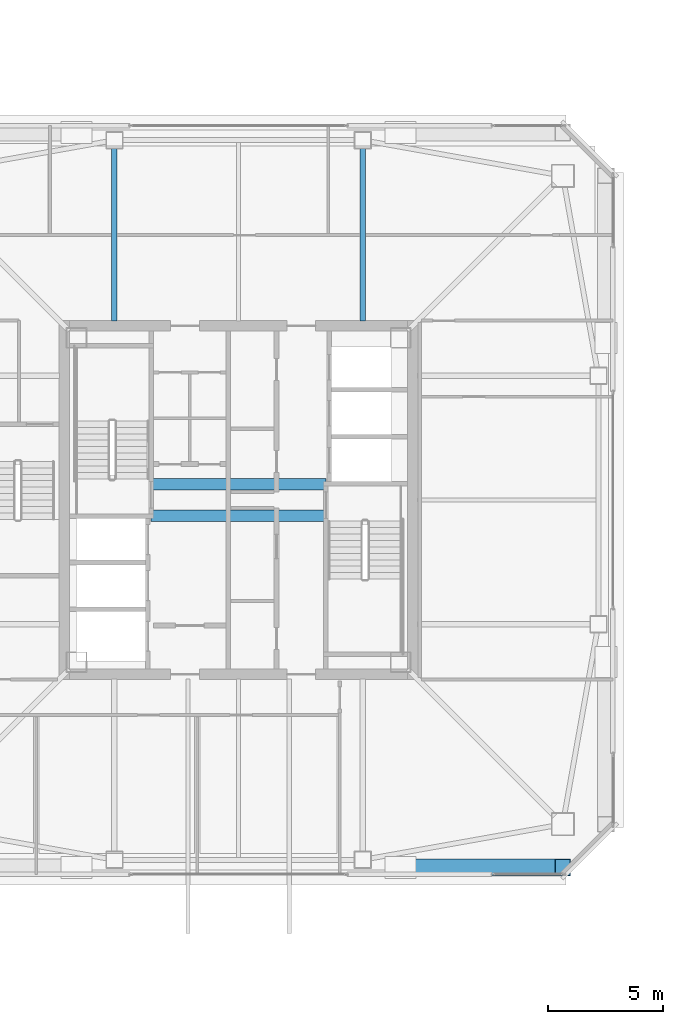
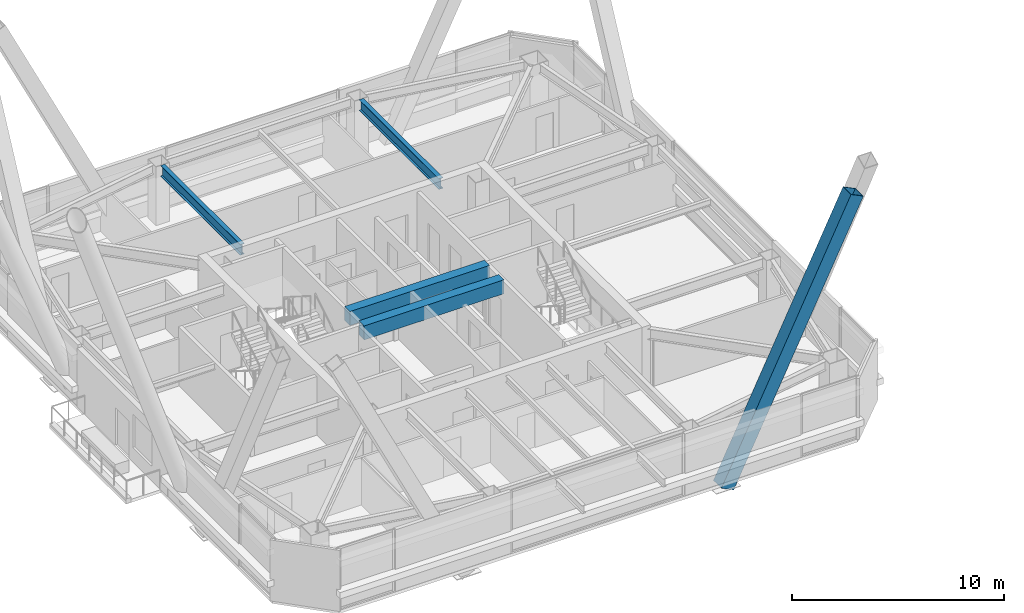
# One storey, part 12 of 56: 4 beams, 1 member.
"""IFC4 building model written with IfcOpenShell, lengths in metres."""

import ifcopenshell
import ifcopenshell.guid

model = None  # the IFC model being written
_history = None  # IfcOwnerHistory: only IFC2X3 demands one
_inside = {}  # id of a spatial element -> (the spatial element, [elements in it])
_under = {}  # id of a project, library or spatial element -> (it, [spatial elements below it])
_declared = {}  # id of a project -> (the project, [libraries it declares])
_typed = {}  # id of a type object -> (the type object, [elements of that type])
_made_of = {}  # id of a material, layer set ... -> (it, [elements and type objects made of it])


def new_model(schema):
    """Start an empty IFC model of exactly this schema.

    Asked for "IFC4X3", IfcOpenShell would pick the latest addendum, in which some entities
    have other attributes; the version numbers below select the first issue.
    IFC2X3 requires an IfcOwnerHistory on every rooted entity: one is made here for all.
    """
    global model, _history
    if schema == "IFC4X3":
        model = ifcopenshell.file(schema_version=(4, 3, 0, 0))
    else:
        model = ifcopenshell.file(schema=schema)
    _inside.clear()
    _under.clear()
    _declared.clear()
    _typed.clear()
    _made_of.clear()
    _history = None
    if model.schema == "IFC2X3":
        org = make("IfcOrganization", Name="unknown")
        user = make(
            "IfcPersonAndOrganization",
            ThePerson=make("IfcPerson", FamilyName="unknown"),
            TheOrganization=org,
        )
        app = make(
            "IfcApplication",
            ApplicationDeveloper=org,
            Version="unknown",
            ApplicationFullName="unknown",
            ApplicationIdentifier="unknown",
        )
        _history = make(
            "IfcOwnerHistory",
            OwningUser=user,
            OwningApplication=app,
            ChangeAction="ADDED",
            CreationDate=0,
        )
    return model


def make(cls, **values):
    """One entity of the class cls with the attributes given. An attribute that is None is left unset."""
    return model.create_entity(
        cls, **{name: value for name, value in values.items() if value is not None}
    )


def rooted(cls, **values):
    """An entity with a GlobalId (a new one), such as an element, a storey or a relation."""
    return make(cls, GlobalId=ifcopenshell.guid.new(), OwnerHistory=_history, **values)


def si_unit(unit_type, name, prefix=None):
    """IfcSIUnit, for example si_unit("LENGTHUNIT", "METRE", prefix="MILLI")."""
    return make("IfcSIUnit", UnitType=unit_type, Prefix=prefix, Name=name)


def assignment(units):
    """IfcUnitAssignment: the units of a project."""
    return None if units is None else make("IfcUnitAssignment", Units=units)


def point(xyz):
    """IfcCartesianPoint."""
    return None if xyz is None else make("IfcCartesianPoint", Coordinates=xyz)


def direction(xyz):
    """IfcDirection."""
    return None if xyz is None else make("IfcDirection", DirectionRatios=xyz)


def frame(location, z_axis=None, x_axis=None):
    """IfcAxis2Placement3D, a coordinate frame: its origin and axes. An axis left out is left unset."""
    return make(
        "IfcAxis2Placement3D",
        Location=point(location),
        Axis=direction(z_axis),
        RefDirection=direction(x_axis),
    )


def frame_2d(location, x_axis=None):
    """IfcAxis2Placement2D, a coordinate frame in the plane: its origin and x axis."""
    return make(
        "IfcAxis2Placement2D", Location=point(location), RefDirection=direction(x_axis)
    )


def origin():
    """The frame at (0, 0, 0) with its axes left unset."""
    return frame((0.0, 0.0, 0.0))


def origin_2d():
    """The frame at (0, 0) in the plane with its x axis left unset."""
    return frame_2d((0.0, 0.0))


def place(relative_to, where):
    """IfcLocalPlacement: puts the frame where relative to a parent placement (None: the world)."""
    return make(
        "IfcLocalPlacement", PlacementRelTo=relative_to, RelativePlacement=where
    )


def context(
    kind, dimensions, precision=None, world=None, true_north=None, identifier=None
):
    """IfcGeometricRepresentationContext, for example the 3D "Model" context."""
    return make(
        "IfcGeometricRepresentationContext",
        ContextIdentifier=identifier,
        ContextType=kind,
        CoordinateSpaceDimension=dimensions,
        Precision=precision,
        WorldCoordinateSystem=world,
        TrueNorth=true_north,
    )


def subcontext(parent, identifier, kind, view, scale=None):
    """IfcGeometricRepresentationSubContext, for example "Body" below "Model"."""
    return make(
        "IfcGeometricRepresentationSubContext",
        ContextIdentifier=identifier,
        ContextType=kind,
        ParentContext=parent,
        TargetScale=scale,
        TargetView=view,
    )


def project(units=None, contexts=None):
    """IfcProject with its units and contexts."""
    return rooted(
        "IfcProject",
        Name="project",
        RepresentationContexts=contexts,
        UnitsInContext=assignment(units),
    )


def spatial(cls, under=None, at=None, **own):
    """A site, building, storey or space (cls), placed at a placement, below another one or the project."""
    s = rooted(cls, ObjectPlacement=at, **own)
    if under is not None:
        _under.setdefault(under.id(), (under, []))[1].append(s)
    return s


def profile(cls, at=None, kind="AREA", **sizes):
    """A parametric profile (cls). Its sizes go by their IFC names, for example OverallWidth=200.0."""
    return make(cls, ProfileType=kind, Position=at, **sizes)


def rectangle(**sizes):
    """IfcRectangleProfileDef."""
    return profile("IfcRectangleProfileDef", **sizes)


def hollow_rectangle(**sizes):
    """IfcRectangleHollowProfileDef."""
    return profile("IfcRectangleHollowProfileDef", **sizes)


def i_section(**sizes):
    """IfcIShapeProfileDef."""
    return profile("IfcIShapeProfileDef", **sizes)


def extrude(swept, where, along, depth):
    """IfcExtrudedAreaSolid: the profile swept, set in the frame where, extruded along a direction by depth."""
    return make(
        "IfcExtrudedAreaSolid",
        SweptArea=swept,
        Position=where,
        ExtrudedDirection=direction(along),
        Depth=depth,
    )


def shape(context_of_items, identifier, shape_type, items):
    """IfcShapeRepresentation: the items that make up one representation, for example the "Body"."""
    return make(
        "IfcShapeRepresentation",
        ContextOfItems=context_of_items,
        RepresentationIdentifier=identifier,
        RepresentationType=shape_type,
        Items=items,
    )


def material(Name=None, Category=None):
    """IfcMaterial."""
    return make("IfcMaterial", Name=Name, Category=Category)


def material_profile(
    of_material, cross_section, Name=None, Category=None, Priority=None
):
    """IfcMaterialProfile: a cross section and its material."""
    return make(
        "IfcMaterialProfile",
        Name=Name,
        Material=of_material,
        Profile=cross_section,
        Priority=Priority,
        Category=Category,
    )


def profile_set(profiles, Name=None, composite=None):
    """IfcMaterialProfileSet."""
    return make(
        "IfcMaterialProfileSet",
        Name=Name,
        MaterialProfiles=profiles,
        CompositeProfile=composite,
    )


def made_of(thing, what):
    """Note that an element or type object is made of a material, layer set ...; save() writes the relation."""
    if what is not None:
        _made_of.setdefault(what.id(), (what, []))[1].append(thing)
    return thing


def type_object(cls, material=None, **own):
    """A type object (cls), such as IfcWallType, which elements share."""
    return made_of(rooted(cls, **own), material)


def element(
    cls,
    number,
    at=None,
    inside=None,
    cuts=None,
    type_object=None,
    material=None,
    context=None,
    identifier="Body",
    shape_type=None,
    held_by="IfcProductDefinitionShape",
    body=None,
    shapes=None,
    **own,
):
    """One element of the class cls, such as IfcWall. Its Tag is "e" and its number.

    at: its placement. inside: the storey or other place that contains it. cuts: it is an
    opening in that element (IfcRelVoidsElement). A single representation is given by context,
    identifier, shape_type and body (its items); several are given by shapes. held_by: the class
    of the entity that holds the representations. save() writes the other relations.
    """
    e = rooted(cls, Tag="e%d" % number, ObjectPlacement=at, **own)
    if body is not None:
        shapes = [shape(context, identifier, shape_type, body)]
    if shapes is not None:
        e.Representation = make(held_by, Representations=shapes)
    if inside is not None:
        _inside.setdefault(inside.id(), (inside, []))[1].append(e)
    if cuts is not None:
        rooted(
            "IfcRelVoidsElement", RelatingBuildingElement=cuts, RelatedOpeningElement=e
        )
    if type_object is not None:
        _typed.setdefault(type_object.id(), (type_object, []))[1].append(e)
    return made_of(e, material)


def aggregate(whole, parts):
    """IfcRelAggregates: a whole, such as a stair, and the parts it consists of."""
    return rooted("IfcRelAggregates", RelatingObject=whole, RelatedObjects=parts)


def save(model, path):
    """Write the relations noted so far, then the file.

    IfcRelAggregates (storeys below a building ...), IfcRelContainedInSpatialStructure (elements
    in a storey), IfcRelDefinesByType, IfcRelAssociatesMaterial and IfcRelDeclares: one each for
    every whole, place, type object, material and project.
    """
    for whole, parts in _under.values():
        aggregate(whole, parts)
    for where, things in _inside.values():
        rooted(
            "IfcRelContainedInSpatialStructure",
            RelatedElements=things,
            RelatingStructure=where,
        )
    for kind, things in _typed.values():
        rooted("IfcRelDefinesByType", RelatedObjects=things, RelatingType=kind)
    for what, things in _made_of.values():
        rooted("IfcRelAssociatesMaterial", RelatedObjects=things, RelatingMaterial=what)
    for by, libraries in _declared.values():
        rooted("IfcRelDeclares", RelatingContext=by, RelatedDefinitions=libraries)
    model.write(path)


model = new_model("IFC4")

# Units and contexts
model_context = context("Model", 3, precision=1e-05, world=origin(), true_north=direction((0.0, 1.0)))
body_context = subcontext(model_context, "Body", "Model", "MODEL_VIEW")
ifc_project = project(units=[si_unit("LENGTHUNIT", "METRE"), si_unit("AREAUNIT", "SQUARE_METRE"), si_unit("VOLUMEUNIT", "CUBIC_METRE"), si_unit("PLANEANGLEUNIT", "RADIAN"), si_unit("MASSUNIT", "GRAM", prefix="KILO")], contexts=[model_context])

# Site, building, storey
site_placement = place(None, origin())
site = spatial("IfcSite", under=ifc_project, at=site_placement, CompositionType="ELEMENT")
building_placement = place(site_placement, origin())
building = spatial("IfcBuilding", under=site, at=building_placement, Name="Tashvorn Skyway Center", CompositionType="ELEMENT")
storey_placement = place(building_placement, frame((0.0, 0.0, 218.39990234375)))
storey = spatial("IfcBuildingStorey", under=building, at=storey_placement, Name="L59", CompositionType="ELEMENT", Elevation=218.39990234375)

# Beams
ifc_material_1 = material(Name="Steel ASTM A992 Grade 50", Category="steel")
ifc_material_profile_1 = material_profile(ifc_material_1, i_section(OverallWidth=0.22998046875, OverallDepth=0.616943359375, WebThickness=0.01318359375, FlangeThickness=0.022216796875, at=origin_2d()), Name="W24X94")
ifc_profile_set_1 = profile_set([ifc_material_profile_1], Name="Steel ASTM A992 Grade 50")
beam_type_1 = type_object("IfcBeamType", Name="BM-BEAM-W24X94", PredefinedType="BEAM", material=ifc_profile_set_1)
for number, where, z_axis, x_axis, name in (
    (1, (47.39990234375, 47.280029296875, 3.0615234375), (0.0, -1.0, 0.0), (1.0, 0.0, 0.0), "Tower 1 L59 Primary Floor Girder FC-N1"),
    (2, (36.60009765625, 47.280029296875, 3.0615234375), (0.0, -1.0, 0.0), (1.0, 0.0, 0.0), "Tower 1 L59 Primary Floor Girder FC-N2"),
):
    element("IfcBeam", number, at=place(storey_placement, frame(where, z_axis=z_axis, x_axis=x_axis)), inside=storey, type_object=beam_type_1, Name=name, PredefinedType="BEAM", context=body_context, shape_type="SweptSolid", body=[
        extrude(i_section(OverallWidth=0.22998046875, OverallDepth=0.616943359375, WebThickness=0.01318359375, FlangeThickness=0.022216796875, at=origin_2d()), origin(), (0.0, 0.0, 1.0), 7.5),
    ])
ifc_material_2 = material(Name="Concrete C50/60", Category="concrete")
ifc_material_profile_2 = material_profile(ifc_material_2, rectangle(XDim=0.5, YDim=0.800048828125, at=origin_2d()), Name="RCB500x800")
ifc_profile_set_2 = profile_set([ifc_material_profile_2], Name="Concrete C50/60")
beam_type_2 = type_object("IfcBeamType", Name="BM-LINTEL-RCB500x800", PredefinedType="LINTEL", material=ifc_profile_set_2)
for number, where, z_axis, x_axis, name in (
    (3, (38.199951171875, 32.679931640625, 2.97021484375), (1.0, 0.0, 0.0), (0.0, 1.0, 0.0), "Tower 1 L59 Core Coupling Beam CN"),
    (4, (38.199951171875, 31.320068359375, 2.97021484375), (1.0, 0.0, 0.0), (0.0, 1.0, 0.0), "Tower 1 L59 Core Coupling Beam CS"),
):
    element("IfcBeam", number, at=place(storey_placement, frame(where, z_axis=z_axis, x_axis=x_axis)), inside=storey, type_object=beam_type_2, Name=name, PredefinedType="LINTEL", context=body_context, shape_type="SweptSolid", body=[
        extrude(rectangle(XDim=0.5, YDim=0.800048828125, at=origin_2d()), origin(), (0.0, 0.0, 1.0), 7.60009765625),
    ])

# Member
ifc_material_3 = material(Name="Steel ASTM A572 Grade 50", Category="steel")
ifc_material_profile_3 = material_profile(ifc_material_3, hollow_rectangle(XDim=0.75, YDim=0.75, WallThickness=0.031982421875, at=origin_2d()), Name="BOX750x750x32")
ifc_profile_set_3 = profile_set([ifc_material_profile_3], Name="Steel ASTM A572 Grade 50")
member_type = type_object("IfcMemberType", Name="MEM-MB-750", PredefinedType="BRACE", material=ifc_profile_set_3)
member_placement = place(storey_placement, frame((49.050048828125, 16.02001953125, -0.449951171875), z_axis=(0.439219679919, 0.0, 0.898379692987), x_axis=(0.0, 1.0, 0.0)))
element("IfcMember", 5, at=member_placement, inside=storey, type_object=member_type, Name="Tower 1 Zone 5 S Chevron Mega-Brace R2", PredefinedType="BRACE", context=body_context, shape_type="SweptSolid", body=[
    extrude(hollow_rectangle(XDim=0.75, YDim=0.75, WallThickness=0.031982421875, at=origin_2d()), origin(), (0.0, 0.0, 1.0), 16.05126953125),
])

save(model, "model.ifc")
